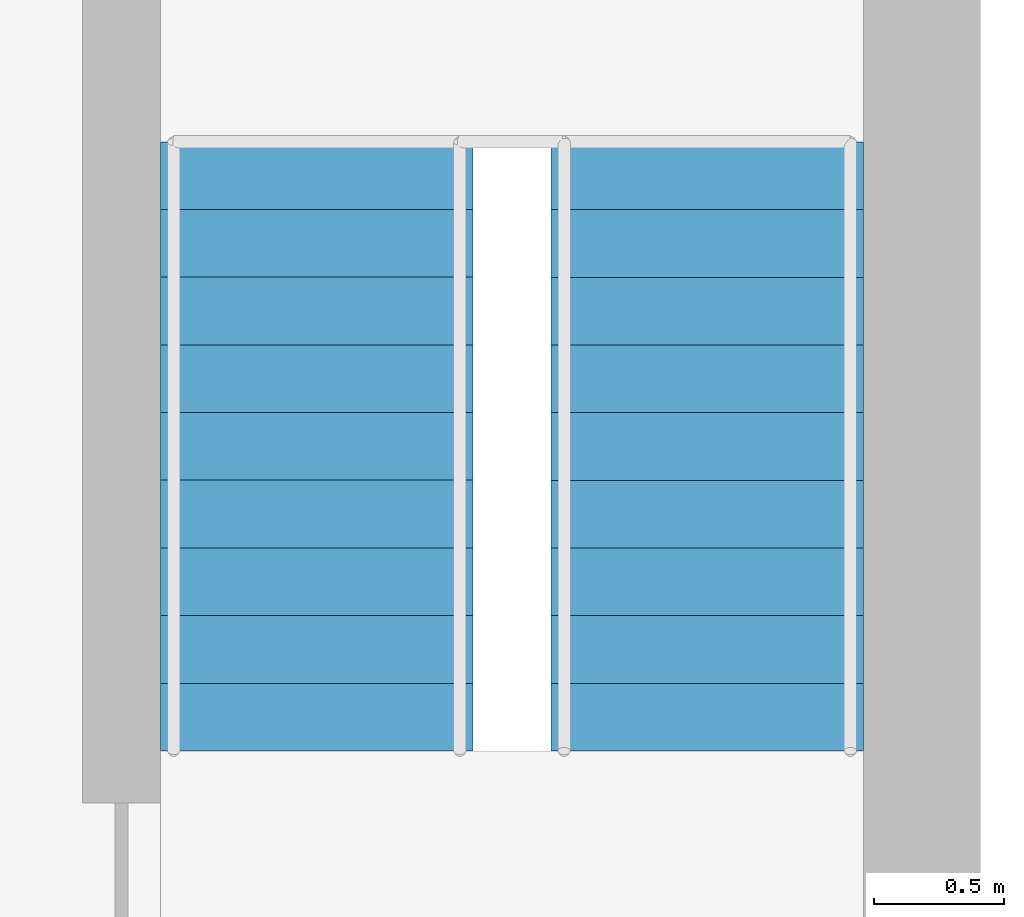
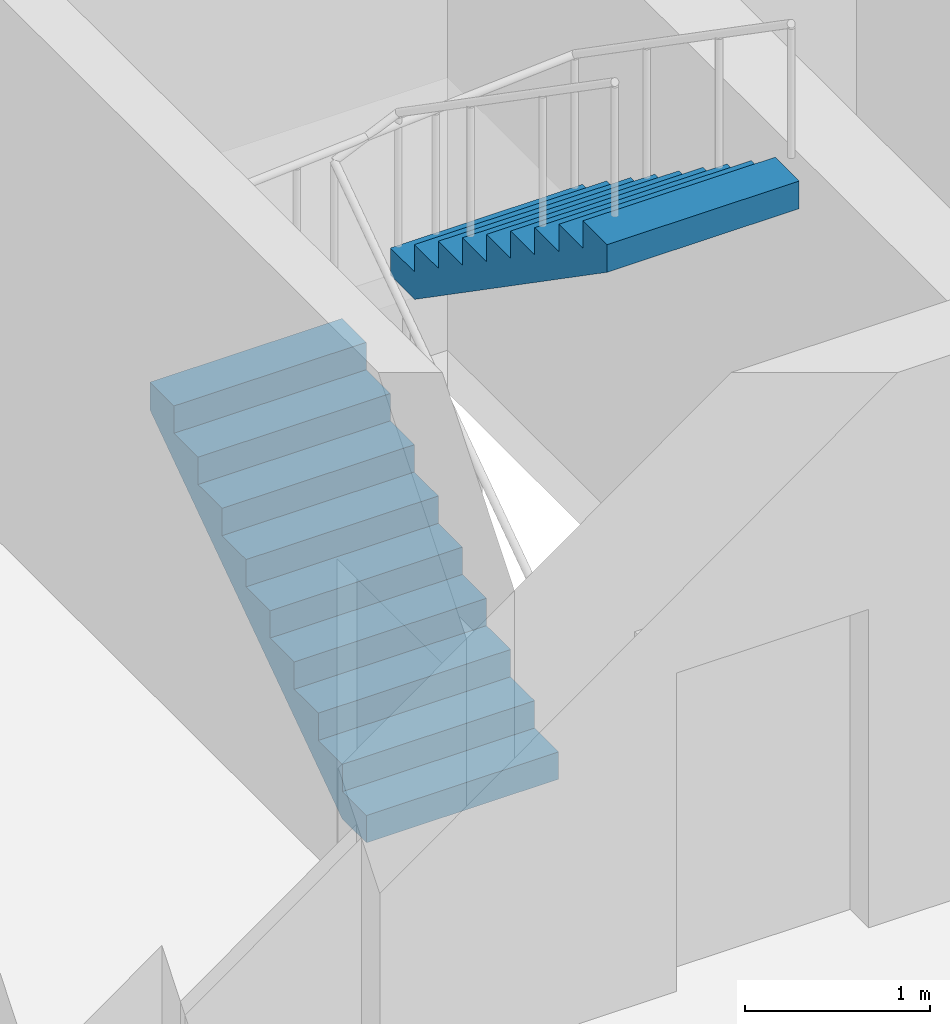
# One storey, part 10 of 15: 2 stair flights, 1 element without a shape of its own.
"""IFC4 building model written with IfcOpenShell, lengths in metres."""

from ifc_helpers import new_model, si_unit, direction, frame, origin, place, context, subcontext, project, spatial, polyline, outline, extrude, material, type_object, element, aggregate, save


model = new_model("IFC4")

# Units and contexts
model_context = context("Model", 3, precision=1e-05, world=origin(), true_north=direction((0.0, 1.0)))
body_context = subcontext(model_context, "Body", "Model", "MODEL_VIEW")
ifc_project = project(units=[si_unit("LENGTHUNIT", "METRE"), si_unit("AREAUNIT", "SQUARE_METRE"), si_unit("VOLUMEUNIT", "CUBIC_METRE"), si_unit("PLANEANGLEUNIT", "RADIAN"), si_unit("MASSUNIT", "GRAM", prefix="KILO")], contexts=[model_context])

# Site, building, storey
site_placement = place(None, origin())
site = spatial("IfcSite", under=ifc_project, at=site_placement, CompositionType="ELEMENT")
building_placement = place(site_placement, origin())
building = spatial("IfcBuilding", under=site, at=building_placement, Name="Torana Hotel and Residences", CompositionType="ELEMENT")
storey_placement = place(building_placement, frame((0.0, 0.0, 52.800048828125)))
storey = spatial("IfcBuildingStorey", under=building, at=storey_placement, Name="L12", CompositionType="ELEMENT", Elevation=52.800048828125)

# Stair, stair flights
ifc_material_1 = material(Name="Concrete C40/50 precast", Category="concrete")
stair_type = type_object("IfcStairType", Name="STAIR ST4 HALF TURN 1200", PredefinedType="HALF_TURN_STAIR", material=ifc_material_1)
stair_placement = place(storey_placement, origin())
stair = element("IfcStair", 1, at=stair_placement, inside=storey, type_object=stair_type, Name="Stair ST4 L12", PredefinedType="HALF_TURN_STAIR")
ifc_material_2 = material(Name="Concrete C40/50 precast", Category="concrete")
stair_flight_type = type_object("IfcStairFlightType", Name="STAIR FLIGHT 1200 PRECAST", PredefinedType="STRAIGHT", material=ifc_material_2)
stair_flight_1_placement = place(storey_placement, frame((16.949951171875, -12.949951171875, 0.0), z_axis=(0.0, 0.0, 1.0), x_axis=(0.0, 1.0, 0.0)))
stair_flight_1 = element("IfcStairFlight", 2, at=stair_flight_1_placement, type_object=stair_flight_type, Name="ST4 flight 1", NumberOfRisers=10, NumberOfTreads=9, PredefinedType="STRAIGHT", RiserHeight=0.18, TreadLength=0.26, context=body_context, shape_type="SweptSolid", body=[
    extrude(outline(polyline([(0.0, 0.0), (0.0, 0.179931640625), (0.260009765625, 0.179931640625), (0.260009765625, 0.360107421875), (0.52001953125, 0.360107421875), (0.52001953125, 0.5400390625), (0.780029296875, 0.5400390625), (0.780029296875, 0.719970703125), (1.0400390625, 0.719970703125), (1.0400390625, 0.89990234375), (1.300048828125, 0.89990234375), (1.300048828125, 1.080078125), (1.56005859375, 1.080078125), (1.56005859375, 1.260009765625), (1.820068359375, 1.260009765625), (1.820068359375, 1.43994140625), (2.080078125, 1.43994140625), (2.080078125, 1.6201171875), (2.340087890625, 1.6201171875), (2.340087890625, 1.800048828125), (2.340087890625, 1.437744140625), (0.263427734375, 0.0), (0.0, 0.0)])), frame((0.0, 0.60009765625, 0.0), z_axis=(0.0, -1.0, 0.0), x_axis=(1.0, 0.0, 0.0)), (0.0, 0.0, 1.0), 1.199951171875),
])
stair_flight_2_placement = place(storey_placement, frame((18.449951171875, -10.610107421875, 1.800048828125), z_axis=(0.0, 0.0, 1.0), x_axis=(0.0, -1.0, 0.0)))
stair_flight_2 = element("IfcStairFlight", 3, at=stair_flight_2_placement, type_object=stair_flight_type, Name="ST4 flight 2", NumberOfRisers=10, NumberOfTreads=9, PredefinedType="STRAIGHT", RiserHeight=0.18, TreadLength=0.26, context=body_context, shape_type="SweptSolid", body=[
    extrude(outline(polyline([(0.0, 0.0), (0.0, 0.179931640625), (0.260009765625, 0.179931640625), (0.260009765625, 0.360107421875), (0.52001953125, 0.360107421875), (0.52001953125, 0.5400390625), (0.780029296875, 0.5400390625), (0.780029296875, 0.719970703125), (1.0400390625, 0.719970703125), (1.0400390625, 0.89990234375), (1.300048828125, 0.89990234375), (1.300048828125, 1.080078125), (1.56005859375, 1.080078125), (1.56005859375, 1.260009765625), (1.820068359375, 1.260009765625), (1.820068359375, 1.43994140625), (2.080078125, 1.43994140625), (2.080078125, 1.6201171875), (2.340087890625, 1.6201171875), (2.340087890625, 1.800048828125), (2.340087890625, 1.437744140625), (0.263427734375, 0.0), (0.0, 0.0)])), frame((0.0, 0.60009765625, 0.0), z_axis=(0.0, -1.0, 0.0), x_axis=(1.0, 0.0, 0.0)), (0.0, 0.0, 1.0), 1.199951171875),
])
aggregate(stair, [stair_flight_1, stair_flight_2])

save(model, "model.ifc")
